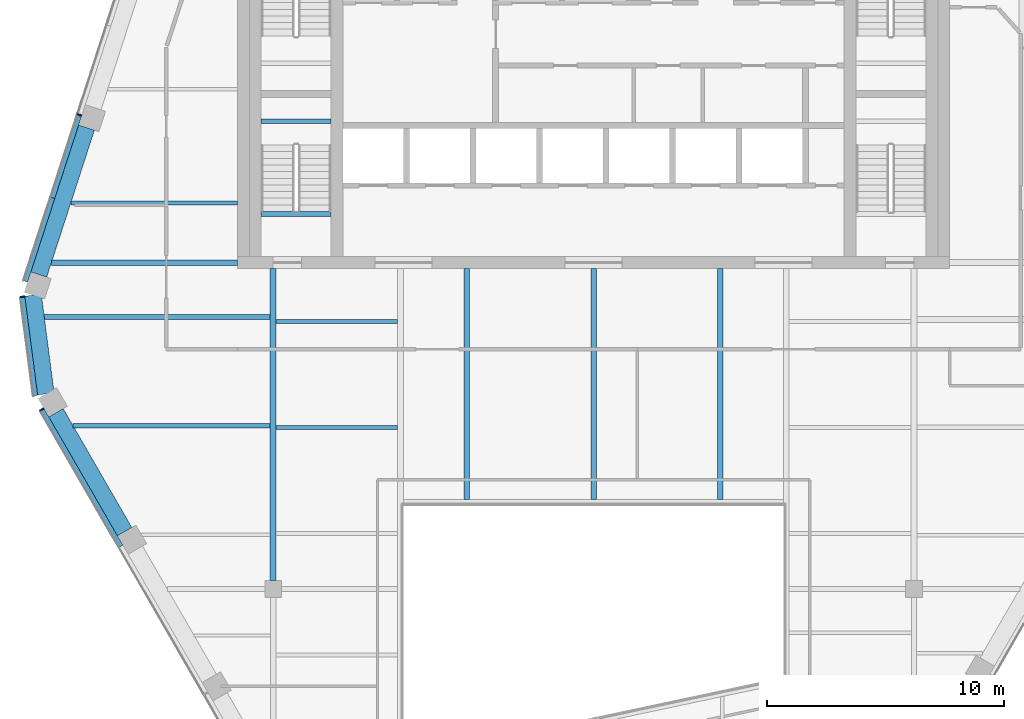
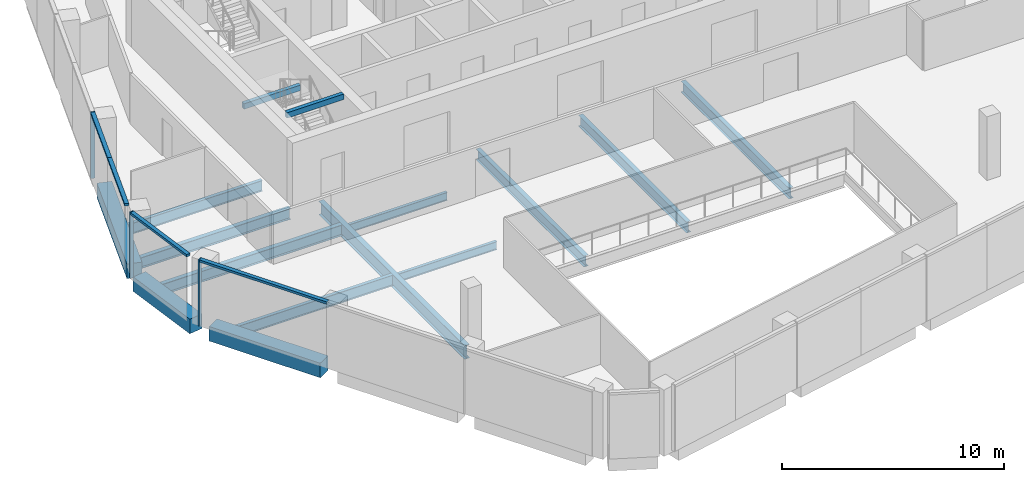
# One storey, part 3 of 15: 15 beams, 7 members, 3 elements without a shape of their own.
"""IFC4 building model written with IfcOpenShell, lengths in metres."""

from ifc_helpers import new_model, si_unit, direction, frame, origin, origin_2d, place, context, subcontext, project, spatial, rectangle, i_section, extrude, material, layer, layer_set, material_profile, profile_set, type_object, element, aggregate, save


model = new_model("IFC4")

# Units and contexts
model_context = context("Model", 3, precision=1e-05, world=origin(), true_north=direction((0.0, 1.0)))
body_context = subcontext(model_context, "Body", "Model", "MODEL_VIEW")
ifc_project = project(units=[si_unit("LENGTHUNIT", "METRE"), si_unit("AREAUNIT", "SQUARE_METRE"), si_unit("VOLUMEUNIT", "CUBIC_METRE"), si_unit("PLANEANGLEUNIT", "RADIAN"), si_unit("MASSUNIT", "GRAM", prefix="KILO")], contexts=[model_context])

# Site, building, storey
site_placement = place(None, origin())
site = spatial("IfcSite", under=ifc_project, at=site_placement, CompositionType="ELEMENT")
building_placement = place(site_placement, origin())
building = spatial("IfcBuilding", under=site, at=building_placement, Name="Isthmus Gate Tower", CompositionType="ELEMENT")
storey_placement = place(building_placement, frame((0.0, 0.0, 286.5)))
storey = spatial("IfcBuildingStorey", under=building, at=storey_placement, Name="L73", CompositionType="ELEMENT", Elevation=286.5)

# Curtain wall, member
ifc_material_1 = material(Name="Aluminium, pale champagne anodised", Category="aluminium")
ifc_layer = layer(ifc_material_1, 0.199951171875)
ifc_layer_set = layer_set([ifc_layer], Name="CW-1 UNITISED CURTAIN WALL 200 DEEP")
curtain_wall_type = type_object("IfcCurtainWallType", Name="CW-1 UNITISED CURTAIN WALL 200 DEEP", PredefinedType="NOTDEFINED", material=ifc_layer_set)
curtain_wall_1_placement = place(storey_placement, origin())
curtain_wall_1 = element("IfcCurtainWall", 1, at=curtain_wall_1_placement, inside=storey, type_object=curtain_wall_type, Name="CW-1 NW L73", PredefinedType="NOTDEFINED")
ifc_material_2 = material(Name="Aluminium, pale champagne anodised", Category="aluminium")
ifc_material_profile_1 = material_profile(ifc_material_2, rectangle(XDim=0.06005859375, YDim=0.199951171875, at=origin_2d()), Name="60x200")
ifc_profile_set_1 = profile_set([ifc_material_profile_1], Name="Aluminium, pale champagne anodised")
member_type_1 = type_object("IfcMemberType", Name="CW-1 MULLION 60 X 200", PredefinedType="MULLION", material=ifc_profile_set_1)
member_1_placement = place(storey_placement, frame((-21.6572265625, 6.47265625, 0.0), z_axis=(0.0, 0.0, 1.0), x_axis=(-0.309016994375, -0.951056516295, 0.0)))
member_1 = element("IfcMember", 2, at=member_1_placement, type_object=member_type_1, Name="CW-1 mullion", PredefinedType="MULLION", context=body_context, shape_type="SweptSolid", body=[
    extrude(rectangle(XDim=0.06005859375, YDim=0.199951171875, at=origin_2d()), origin(), (0.0, 0.0, 1.0), 3.64990234375),
])

curtain_wall_2_placement = place(storey_placement, origin())
curtain_wall_2 = element("IfcCurtainWall", 3, at=curtain_wall_2_placement, inside=storey, type_object=curtain_wall_type, Name="CW-1 NW-SW L73", PredefinedType="NOTDEFINED")
member_2_placement = place(storey_placement, frame((-24.0576171875, -1.18603515625, 0.0), z_axis=(0.0, 0.0, 1.0), x_axis=(0.129164534, -0.991623175988, 0.0)))
member_2 = element("IfcMember", 4, at=member_2_placement, type_object=member_type_1, Name="CW-1 mullion", PredefinedType="MULLION", context=body_context, shape_type="SweptSolid", body=[
    extrude(rectangle(XDim=0.06005859375, YDim=0.199951171875, at=origin_2d()), origin(), (0.0, 0.0, 1.0), 3.64990234375),
])

curtain_wall_3_placement = place(storey_placement, origin())
curtain_wall_3 = element("IfcCurtainWall", 5, at=curtain_wall_3_placement, inside=storey, type_object=curtain_wall_type, Name="CW-1 SW L73", PredefinedType="NOTDEFINED")
member_3_placement = place(storey_placement, frame((-23.244873046875, -5.938720703125, 0.0), z_axis=(0.0, 0.0, 1.0), x_axis=(0.5, -0.866025403784, 0.0)))
member_3 = element("IfcMember", 6, at=member_3_placement, type_object=member_type_1, Name="CW-1 mullion", PredefinedType="MULLION", context=body_context, shape_type="SweptSolid", body=[
    extrude(rectangle(XDim=0.06005859375, YDim=0.199951171875, at=origin_2d()), origin(), (0.0, 0.0, 1.0), 3.64990234375),
])

# Member
ifc_material_3 = material(Name="Aluminium, pale champagne anodised", Category="aluminium")
ifc_material_profile_2 = material_profile(ifc_material_3, rectangle(XDim=0.199951171875, YDim=0.1298828125, at=origin_2d()), Name="200x130")
ifc_profile_set_2 = profile_set([ifc_material_profile_2], Name="Aluminium, pale champagne anodised")
member_type_2 = type_object("IfcMemberType", Name="CW-1 TRANSOM 200 X 130", PredefinedType="USERDEFINED", material=ifc_profile_set_2)
member_4_placement = place(storey_placement, frame((-21.66650390625, 6.4443359375, 3.5849609375), z_axis=(-0.30898152177, -0.951068041312, 0.0), x_axis=(0.951068041312, -0.30898152177, 0.0)))
member_4 = element("IfcMember", 7, at=member_4_placement, type_object=member_type_2, Name="CW-1 transom", ObjectType="TRANSOM", PredefinedType="USERDEFINED", context=body_context, shape_type="SweptSolid", body=[
    extrude(rectangle(XDim=0.199951171875, YDim=0.1298828125, at=origin_2d()), origin(), (0.0, 0.0, 1.0), 3.643310546875),
])

member_5_placement = place(storey_placement, frame((-22.792236328125, 2.979248046875, 3.5849609375), z_axis=(-0.309039863592, -0.951049085332, 0.0), x_axis=(0.951049085332, -0.309039863592, 0.0)))
member_5 = element("IfcMember", 8, at=member_5_placement, type_object=member_type_2, Name="CW-1 transom", ObjectType="TRANSOM", PredefinedType="USERDEFINED", context=body_context, shape_type="SweptSolid", body=[
    extrude(rectangle(XDim=0.199951171875, YDim=0.1298828125, at=origin_2d()), origin(), (0.0, 0.0, 1.0), 3.70361328125),
])

aggregate(curtain_wall_1, [member_1, member_4, member_5])

member_6_placement = place(storey_placement, frame((-24.0537109375, -1.215576171875, 3.5849609375), z_axis=(0.129149481977, -0.991625136483, 0.0), x_axis=(0.991625136483, 0.129149481977, 0.0)))
member_6 = element("IfcMember", 9, at=member_6_placement, type_object=member_type_2, Name="CW-1 transom", ObjectType="TRANSOM", PredefinedType="USERDEFINED", context=body_context, shape_type="SweptSolid", body=[
    extrude(rectangle(XDim=0.199951171875, YDim=0.1298828125, at=origin_2d()), origin(), (0.0, 0.0, 1.0), 4.181396484375),
])

aggregate(curtain_wall_2, [member_2, member_6])

member_7_placement = place(storey_placement, frame((-23.22998046875, -5.964599609375, 3.5849609375), z_axis=(0.49999574405, -0.866027860944, 0.0), x_axis=(0.866027860944, 0.49999574405, 0.0)))
member_7 = element("IfcMember", 10, at=member_7_placement, type_object=member_type_2, Name="CW-1 transom", ObjectType="TRANSOM", PredefinedType="USERDEFINED", context=body_context, shape_type="SweptSolid", body=[
    extrude(rectangle(XDim=0.199951171875, YDim=0.1298828125, at=origin_2d()), origin(), (0.0, 0.0, 1.0), 6.62451171875),
])

aggregate(curtain_wall_3, [member_3, member_7])

# Beams
ifc_material_4 = material(Name="Concrete f'c 50 MPa", Category="concrete")
ifc_material_profile_3 = material_profile(ifc_material_4, rectangle(XDim=0.699951171875, YDim=0.800048828125, at=origin_2d()), Name="RC 700X800")
ifc_profile_set_3 = profile_set([ifc_material_profile_3], Name="Concrete f'c 50 MPa")
beam_type_1 = type_object("IfcBeamType", Name="RC SPANDREL 700 X 800", PredefinedType="SPANDREL", material=ifc_profile_set_3)
beam_1_placement = place(storey_placement, frame((-19.7529296875, -11.0869140625, -0.39990234375), z_axis=(-0.500011073467, 0.866019010421, 0.0), x_axis=(-0.866019010421, -0.500011073467, 0.0)))
element("IfcBeam", 11, at=beam_1_placement, inside=storey, type_object=beam_type_1, Name="str-spandrel-L73-15", PredefinedType="SPANDREL", context=body_context, shape_type="SweptSolid", body=[
    extrude(rectangle(XDim=0.699951171875, YDim=0.800048828125, at=origin_2d()), origin(), (0.0, 0.0, 1.0), 5.784423828125),
])
beam_2_placement = place(storey_placement, frame((-23.070068359375, -5.283447265625, -0.39990234375), z_axis=(-0.129137748309, 0.991626664608, 0.0), x_axis=(-0.991626664608, -0.129137748309, 0.0)))
element("IfcBeam", 12, at=beam_2_placement, inside=storey, type_object=beam_type_1, Name="str-spandrel-L73-16", PredefinedType="SPANDREL", context=body_context, shape_type="SweptSolid", body=[
    extrude(rectangle(XDim=0.699951171875, YDim=0.800048828125, at=origin_2d()), origin(), (0.0, 0.0, 1.0), 4.197021484375),
])
beam_3_placement = place(storey_placement, frame((-23.36962890625, -0.254150390625, -0.39990234375), z_axis=(0.30901480678, 0.951057227085, 0.0), x_axis=(-0.951057227085, 0.30901480678, 0.0)))
element("IfcBeam", 13, at=beam_3_placement, inside=storey, type_object=beam_type_1, Name="str-spandrel-L73-17", PredefinedType="SPANDREL", context=body_context, shape_type="SweptSolid", body=[
    extrude(rectangle(XDim=0.699951171875, YDim=0.800048828125, at=origin_2d()), origin(), (0.0, 0.0, 1.0), 6.5068359375),
])
ifc_material_5 = material(Name="Concrete f'c 40 MPa", Category="concrete")
ifc_material_profile_4 = material_profile(ifc_material_5, rectangle(XDim=0.199951171875, YDim=0.300048828125, at=origin_2d()), Name="STAIR LANDING BEAM RC 200 X 300")
ifc_profile_set_4 = profile_set([ifc_material_profile_4], Name="Concrete f'c 40 MPa")
beam_type_2 = type_object("IfcBeamType", Name="STAIR LANDING BEAM RC 200 X 300", PredefinedType="BEAM", material=ifc_profile_set_4)
for number, where, z_axis, x_axis, name in (
    (14, (-14.0, 6.199951171875, 1.47509765625), (1.0, 0.0, 0.0), (0.0, 1.0, 0.0), "L73 ST7 landing beam 1"),
    (15, (-14.0, 2.2998046875, 3.35009765625), (1.0, 0.0, 0.0), (0.0, 1.0, 0.0), "L73 ST7 floor-edge seat beam"),
):
    element("IfcBeam", number, at=place(storey_placement, frame(where, z_axis=z_axis, x_axis=x_axis)), inside=storey, type_object=beam_type_2, Name=name, PredefinedType="BEAM", context=body_context, shape_type="SweptSolid", body=[
        extrude(rectangle(XDim=0.199951171875, YDim=0.300048828125, at=origin_2d()), origin(), (0.0, 0.0, 1.0), 2.949951171875),
    ])
ifc_material_6 = material(Name="Structural steel ASTM A992 Gr 50", Category="steel")
ifc_material_profile_5 = material_profile(ifc_material_6, i_section(OverallWidth=0.15234375, OverallDepth=0.45068359375, WebThickness=0.0078125, FlangeThickness=0.010986328125, at=origin_2d()), Name="W18X35")
ifc_profile_set_5 = profile_set([ifc_material_profile_5], Name="Structural steel ASTM A992 Gr 50")
beam_type_3 = type_object("IfcBeamType", Name="STEEL FLOOR BEAM W18X35", PredefinedType="JOIST", material=ifc_profile_set_5)
for number, where, z_axis, x_axis, name in (
    (16, (-13.3681640625, -6.697509765625, -0.37548828125), (1.0, 0.0, 0.0), (0.0, 1.0, 0.0), "str-beam-L73-03-01"),
    (17, (-13.3681640625, -2.232421875, -0.37548828125), (1.0, 0.0, 0.0), (0.0, 1.0, 0.0), "str-beam-L73-03-02"),
):
    element("IfcBeam", number, at=place(storey_placement, frame(where, z_axis=z_axis, x_axis=x_axis)), inside=storey, type_object=beam_type_3, Name=name, PredefinedType="JOIST", context=body_context, shape_type="SweptSolid", body=[
        extrude(i_section(OverallWidth=0.15234375, OverallDepth=0.45068359375, WebThickness=0.0078125, FlangeThickness=0.010986328125, at=origin_2d()), origin(), (0.0, 0.0, 1.0), 5.1142578125),
    ])
ifc_material_7 = material(Name="Structural steel ASTM A992 Gr 50", Category="steel")
ifc_material_profile_6 = material_profile(ifc_material_7, i_section(OverallWidth=0.177734375, OverallDepth=0.60009765625, WebThickness=0.009521484375, FlangeThickness=0.0126953125, at=origin_2d()), Name="W24X55")
ifc_profile_set_6 = profile_set([ifc_material_profile_6], Name="Structural steel ASTM A992 Gr 50")
beam_type_4 = type_object("IfcBeamType", Name="STEEL FLOOR BEAM W24X55", PredefinedType="JOIST", material=ifc_profile_set_6)
beam_4_placement = place(storey_placement, frame((-22.021728515625, 2.761962890625, -0.449951171875), z_axis=(1.0, 0.0, 0.0), x_axis=(0.0, 1.0, 0.0)))
element("IfcBeam", 18, at=beam_4_placement, inside=storey, type_object=beam_type_4, Name="str-beam-L73-00-00", PredefinedType="JOIST", context=body_context, shape_type="SweptSolid", body=[
    extrude(i_section(OverallWidth=0.177734375, OverallDepth=0.60009765625, WebThickness=0.009521484375, FlangeThickness=0.0126953125, at=origin_2d()), origin(), (0.0, 0.0, 1.0), 7.021728515625),
])
beam_5_placement = place(storey_placement, frame((-21.9248046875, -6.625, -0.449951171875), z_axis=(1.0, 0.0, 0.0), x_axis=(0.0, 1.0, 0.0)))
element("IfcBeam", 19, at=beam_5_placement, inside=storey, type_object=beam_type_4, Name="str-beam-L73-01-01", PredefinedType="JOIST", context=body_context, shape_type="SweptSolid", body=[
    extrude(i_section(OverallWidth=0.177734375, OverallDepth=0.60009765625, WebThickness=0.009521484375, FlangeThickness=0.0126953125, at=origin_2d()), origin(), (0.0, 0.0, 1.0), 8.29296875),
])
ifc_material_8 = material(Name="Structural steel ASTM A992 Gr 50", Category="steel")
ifc_material_profile_7 = material_profile(ifc_material_8, i_section(OverallWidth=0.228515625, OverallDepth=0.603271484375, WebThickness=0.010986328125, FlangeThickness=0.014404296875, at=origin_2d()), Name="W24X68")
ifc_profile_set_7 = profile_set([ifc_material_profile_7], Name="Structural steel ASTM A992 Gr 50")
beam_type_5 = type_object("IfcBeamType", Name="STEEL FLOOR BEAM W24X68", PredefinedType="JOIST", material=ifc_profile_set_7)
beam_6_placement = place(storey_placement, frame((-23.139404296875, -2.041748046875, -0.45166015625), z_axis=(1.0, 0.0, 0.0), x_axis=(0.0, 1.0, 0.0)))
element("IfcBeam", 20, at=beam_6_placement, inside=storey, type_object=beam_type_5, Name="str-beam-L73-01-02", PredefinedType="JOIST", context=body_context, shape_type="SweptSolid", body=[
    extrude(i_section(OverallWidth=0.228515625, OverallDepth=0.603271484375, WebThickness=0.010986328125, FlangeThickness=0.014404296875, at=origin_2d()), origin(), (0.0, 0.0, 1.0), 9.507568359375),
])
for number, where, z_axis, x_axis, name in (
    (21, (-5.333251953125, -9.7333984375, -0.45166015625), (0.0, 1.0, 0.0), (-1.0, 0.0, 0.0), "str-beam-L73-06-00"),
    (22, (0.0, -9.7333984375, -0.45166015625), (0.0, 1.0, 0.0), (-1.0, 0.0, 0.0), "str-beam-L73-06-01"),
    (23, (5.333251953125, -9.7333984375, -0.45166015625), (0.0, 1.0, 0.0), (-1.0, 0.0, 0.0), "str-beam-L73-06-02"),
):
    element("IfcBeam", number, at=place(storey_placement, frame(where, z_axis=z_axis, x_axis=x_axis)), inside=storey, type_object=beam_type_5, Name=name, PredefinedType="JOIST", context=body_context, shape_type="SweptSolid", body=[
        extrude(i_section(OverallWidth=0.228515625, OverallDepth=0.603271484375, WebThickness=0.010986328125, FlangeThickness=0.014404296875, at=origin_2d()), origin(), (0.0, 0.0, 1.0), 9.7333984375),
    ])
ifc_material_9 = material(Name="Structural steel ASTM A992 Gr 50", Category="steel")
ifc_material_profile_8 = material_profile(ifc_material_9, i_section(OverallWidth=0.228515625, OverallDepth=0.603271484375, WebThickness=0.010986328125, FlangeThickness=0.014404296875, at=origin_2d()), Name="W24X68")
ifc_profile_set_8 = profile_set([ifc_material_profile_8], Name="Structural steel ASTM A992 Gr 50")
beam_type_6 = type_object("IfcBeamType", Name="STEEL GIRDER W24X68", PredefinedType="BEAM", material=ifc_profile_set_8)
beam_7_placement = place(storey_placement, frame((-15.0, 0.25, -0.45166015625), z_axis=(-1.0, 0.0, 0.0), x_axis=(0.0, -1.0, 0.0)))
element("IfcBeam", 24, at=beam_7_placement, inside=storey, type_object=beam_type_6, Name="str-girder-L73-09", PredefinedType="BEAM", context=body_context, shape_type="SweptSolid", body=[
    extrude(i_section(OverallWidth=0.228515625, OverallDepth=0.603271484375, WebThickness=0.010986328125, FlangeThickness=0.014404296875, at=origin_2d()), origin(), (0.0, 0.0, 1.0), 7.837890625),
])
ifc_material_10 = material(Name="Structural steel ASTM A992 Gr 50", Category="steel")
ifc_material_profile_9 = material_profile(ifc_material_10, i_section(OverallWidth=0.263427734375, OverallDepth=0.749267578125, WebThickness=0.0126953125, FlangeThickness=0.015869140625, at=origin_2d()), Name="W30X90")
ifc_profile_set_9 = profile_set([ifc_material_profile_9], Name="Structural steel ASTM A992 Gr 50")
beam_type_7 = type_object("IfcBeamType", Name="STEEL GIRDER W30X90", PredefinedType="BEAM", material=ifc_profile_set_9)
beam_8_placement = place(storey_placement, frame((-13.5, -13.14990234375, -0.524658203125), z_axis=(0.0, 1.0, 0.0), x_axis=(-1.0, 0.0, 0.0)))
element("IfcBeam", 25, at=beam_8_placement, inside=storey, type_object=beam_type_7, Name="str-girder-L73-06", PredefinedType="BEAM", context=body_context, shape_type="SweptSolid", body=[
    extrude(i_section(OverallWidth=0.263427734375, OverallDepth=0.749267578125, WebThickness=0.0126953125, FlangeThickness=0.015869140625, at=origin_2d()), origin(), (0.0, 0.0, 1.0), 13.14990234375),
])

save(model, "model.ifc")
